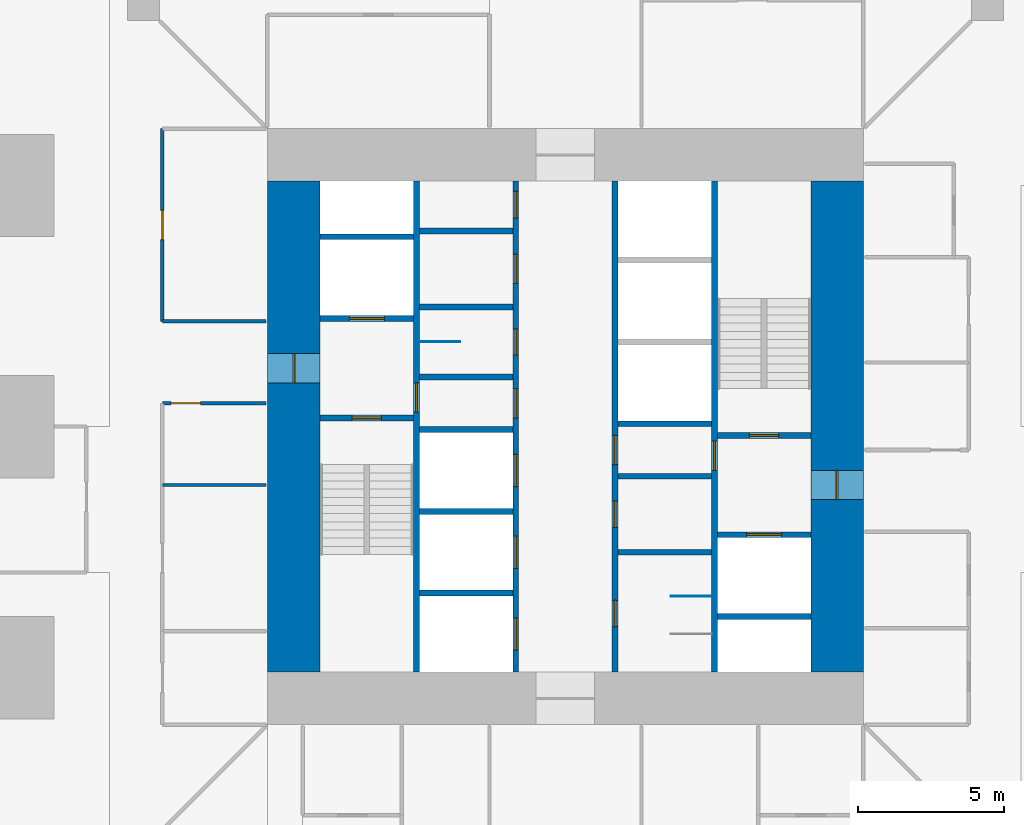
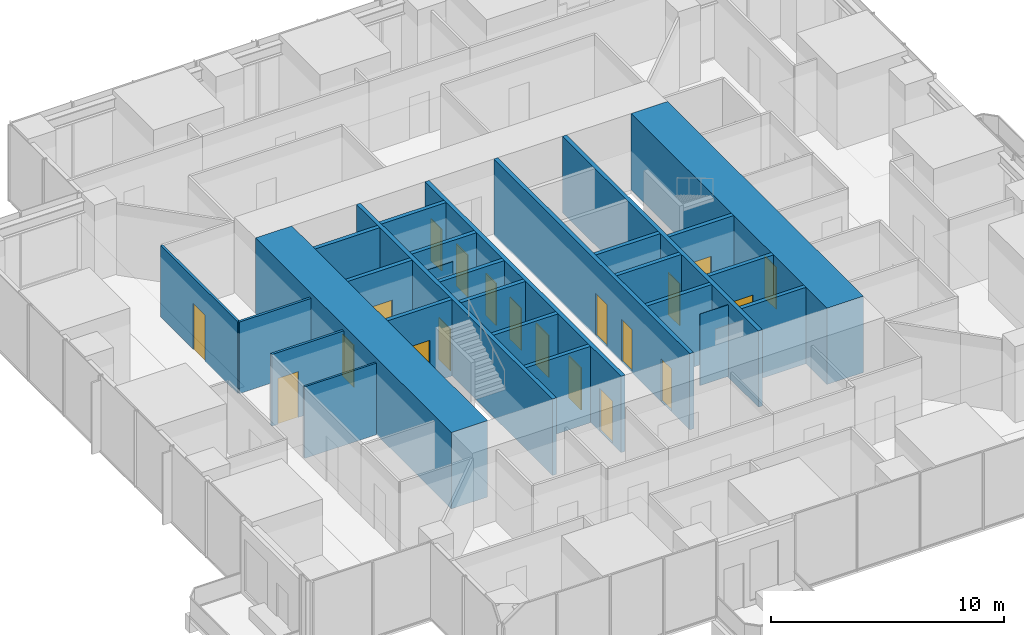
# One storey, part 12 of 18: 27 walls, 20 doors, 20 openings.
"""IFC4 building model written with IfcOpenShell, lengths in metres."""

from ifc_helpers import new_model, si_unit, direction, frame, frame_2d, origin, place, context, subcontext, project, spatial, rectangle, extrude, material, layer, layer_set, type_object, element, fill, save


model = new_model("IFC4")

# Units and contexts
model_context = context("Model", 3, precision=1e-05, world=origin(), true_north=direction((0.0, 1.0)))
body_context = subcontext(model_context, "Body", "Model", "MODEL_VIEW")
ifc_project = project(units=[si_unit("LENGTHUNIT", "METRE"), si_unit("AREAUNIT", "SQUARE_METRE"), si_unit("VOLUMEUNIT", "CUBIC_METRE"), si_unit("PLANEANGLEUNIT", "RADIAN"), si_unit("MASSUNIT", "GRAM", prefix="KILO")], contexts=[model_context])

# Site, building, storey
site_placement = place(None, origin())
site = spatial("IfcSite", under=ifc_project, at=site_placement, CompositionType="ELEMENT")
building_placement = place(site_placement, origin())
building = spatial("IfcBuilding", under=site, at=building_placement, Name="Svetlomir Tower", CompositionType="ELEMENT")
storey_placement = place(building_placement, frame((0.0, 0.0, 54.5)))
storey = spatial("IfcBuildingStorey", under=building, at=storey_placement, Name="L12", CompositionType="ELEMENT", Elevation=54.5)

# Wall, opening, door
ifc_material_1 = material(Name="Concrete C60/75", Category="concrete")
ifc_layer_1 = layer(ifc_material_1, 0.199951171875)
ifc_layer_set_1 = layer_set([ifc_layer_1], Name="Concrete C60/75")
wall_type_1 = type_object("IfcWallType", Name="CORE INNER WALL 200", PredefinedType="SHEAR", material=ifc_layer_set_1)
wall_1_placement = place(storey_placement, frame((15.89990234375, 12.60009765625, -0.050048828125), z_axis=(0.0, 0.0, 1.0), x_axis=(0.0, 1.0, 0.0)))
wall_1 = element("IfcWall", 1, at=wall_1_placement, inside=storey, type_object=wall_type_1, Name="Core inner wall 15.9 L12", PredefinedType="SHEAR", context=body_context, shape_type="SweptSolid", body=[
    extrude(rectangle(XDim=16.7998046875, YDim=0.199951171875, at=frame_2d((8.39990234375, 0.0))), origin(), (0.0, 0.0, 1.0), 4.0),
])
opening_1_placement = place(wall_1_placement, frame((8.89990234375, 0.0, 0.050048828125)))
opening_1 = element("IfcOpeningElement", 2, at=opening_1_placement, cuts=wall_1, Name="Opening DF", PredefinedType="OPENING", context=body_context, shape_type="SweptSolid", body=[
    extrude(rectangle(XDim=1.0, YDim=2.199951171875, at=frame_2d((0.5, 1.10009765625))), frame((0.0, 0.10986328125, 0.0), z_axis=(0.0, -1.0, 0.0), x_axis=(1.0, 0.0, 0.0)), (0.0, 0.0, 1.0), 0.219970703125),
])
ifc_material_2 = material(Name="Steel fire door", Category="steel")
door_type_1 = type_object("IfcDoorType", Name="DOOR DF 1000x2200", OperationType="SINGLE_SWING_LEFT", PredefinedType="DOOR", material=ifc_material_2)
door_1_placement = place(opening_1_placement, origin())
door_1 = element("IfcDoor", 3, at=door_1_placement, inside=storey, type_object=door_type_1, Name="Core corridor west door L12", OperationType="SINGLE_SWING_LEFT", OverallHeight=2.199951171875, OverallWidth=1.0, PredefinedType="DOOR", context=body_context, shape_type="SweptSolid", body=[
    extrude(rectangle(XDim=1.0, YDim=2.199951171875, at=frame_2d((0.5, 1.10009765625))), frame((0.0, 0.02490234375, 0.0), z_axis=(0.0, -1.0, 0.0), x_axis=(1.0, 0.0, 0.0)), (0.0, 0.0, 1.0), 0.050048828125),
])
fill(opening_1, door_1)

# Wall, openings, doors
wall_2_placement = place(storey_placement, frame((19.300048828125, 12.60009765625, -0.050048828125), z_axis=(0.0, 0.0, 1.0), x_axis=(0.0, 1.0, 0.0)))
wall_2 = element("IfcWall", 4, at=wall_2_placement, inside=storey, type_object=wall_type_1, Name="Core inner wall 19.3 L12", PredefinedType="SHEAR", context=body_context, shape_type="SweptSolid", body=[
    extrude(rectangle(XDim=16.7998046875, YDim=0.199951171875, at=frame_2d((8.39990234375, 0.0))), origin(), (0.0, 0.0, 1.0), 4.0),
])
opening_2_placement = place(wall_2_placement, frame((8.699951171875, 0.0, 0.050048828125)))
opening_2 = element("IfcOpeningElement", 5, at=opening_2_placement, cuts=wall_2, Name="Opening DC", PredefinedType="OPENING", context=body_context, shape_type="SweptSolid", body=[
    extrude(rectangle(XDim=1.0, YDim=2.199951171875, at=frame_2d((0.5, 1.10009765625))), frame((0.0, 0.10986328125, 0.0), z_axis=(0.0, -1.0, 0.0), x_axis=(1.0, 0.0, 0.0)), (0.0, 0.0, 1.0), 0.219970703125),
])
opening_3_placement = place(wall_2_placement, frame((10.85009765625, 0.0, 0.050048828125)))
opening_3 = element("IfcOpeningElement", 6, at=opening_3_placement, cuts=wall_2, Name="Opening DW", PredefinedType="OPENING", context=body_context, shape_type="SweptSolid", body=[
    extrude(rectangle(XDim=0.89990234375, YDim=2.199951171875, at=frame_2d((0.449951171875, 1.10009765625))), frame((0.0, 0.10986328125, 0.0), z_axis=(0.0, -1.0, 0.0), x_axis=(1.0, 0.0, 0.0)), (0.0, 0.0, 1.0), 0.219970703125),
])
opening_4_placement = place(wall_2_placement, frame((13.300048828125, 0.0, 0.050048828125)))
opening_4 = element("IfcOpeningElement", 7, at=opening_4_placement, cuts=wall_2, Name="Opening DC", PredefinedType="OPENING", context=body_context, shape_type="SweptSolid", body=[
    extrude(rectangle(XDim=1.0, YDim=2.199951171875, at=frame_2d((0.5, 1.10009765625))), frame((0.0, 0.10986328125, 0.0), z_axis=(0.0, -1.0, 0.0), x_axis=(1.0, 0.0, 0.0)), (0.0, 0.0, 1.0), 0.219970703125),
])
opening_5_placement = place(wall_2_placement, frame((15.550048828125, 0.0, 0.050048828125)))
opening_5 = element("IfcOpeningElement", 8, at=opening_5_placement, cuts=wall_2, Name="Opening DW", PredefinedType="OPENING", context=body_context, shape_type="SweptSolid", body=[
    extrude(rectangle(XDim=0.89990234375, YDim=2.199951171875, at=frame_2d((0.449951171875, 1.10009765625))), frame((0.0, 0.10986328125, 0.0), z_axis=(0.0, -1.0, 0.0), x_axis=(1.0, 0.0, 0.0)), (0.0, 0.0, 1.0), 0.219970703125),
])
opening_6_placement = place(wall_2_placement, frame((0.75, 0.0, 0.050048828125)))
opening_6 = element("IfcOpeningElement", 9, at=opening_6_placement, cuts=wall_2, Name="Opening LD", PredefinedType="OPENING", context=body_context, shape_type="SweptSolid", body=[
    extrude(rectangle(XDim=1.10009765625, YDim=2.199951171875, at=frame_2d((0.550048828125, 1.10009765625))), frame((0.0, 0.10986328125, 0.0), z_axis=(0.0, -1.0, 0.0), x_axis=(1.0, 0.0, 0.0)), (0.0, 0.0, 1.0), 0.219970703125),
])
opening_7_placement = place(wall_2_placement, frame((3.550048828125, 0.0, 0.050048828125)))
opening_7 = element("IfcOpeningElement", 10, at=opening_7_placement, cuts=wall_2, Name="Opening LD", PredefinedType="OPENING", context=body_context, shape_type="SweptSolid", body=[
    extrude(rectangle(XDim=1.10009765625, YDim=2.199951171875, at=frame_2d((0.550048828125, 1.10009765625))), frame((0.0, 0.10986328125, 0.0), z_axis=(0.0, -1.0, 0.0), x_axis=(1.0, 0.0, 0.0)), (0.0, 0.0, 1.0), 0.219970703125),
])
opening_8_placement = place(wall_2_placement, frame((6.35009765625, 0.0, 0.050048828125)))
opening_8 = element("IfcOpeningElement", 11, at=opening_8_placement, cuts=wall_2, Name="Opening LD", PredefinedType="OPENING", context=body_context, shape_type="SweptSolid", body=[
    extrude(rectangle(XDim=1.10009765625, YDim=2.199951171875, at=frame_2d((0.550048828125, 1.10009765625))), frame((0.0, 0.10986328125, 0.0), z_axis=(0.0, -1.0, 0.0), x_axis=(1.0, 0.0, 0.0)), (0.0, 0.0, 1.0), 0.219970703125),
])
ifc_material_3 = material(Name="Timber fire door", Category="wood")
door_type_2 = type_object("IfcDoorType", Name="DOOR DC 1000x2200", OperationType="SINGLE_SWING_LEFT", PredefinedType="DOOR", material=ifc_material_3)
door_2_placement = place(opening_2_placement, origin())
door_2 = element("IfcDoor", 12, at=door_2_placement, inside=storey, type_object=door_type_2, Name="Core corridor west lobby door L12", OperationType="SINGLE_SWING_LEFT", OverallHeight=2.199951171875, OverallWidth=1.0, PredefinedType="DOOR", context=body_context, shape_type="SweptSolid", body=[
    extrude(rectangle(XDim=1.0, YDim=2.199951171875, at=frame_2d((0.5, 1.10009765625))), frame((0.0, 0.02490234375, 0.0), z_axis=(0.0, -1.0, 0.0), x_axis=(1.0, 0.0, 0.0)), (0.0, 0.0, 1.0), 0.050048828125),
])
fill(opening_2, door_2)
door_3_placement = place(opening_4_placement, origin())
door_3 = element("IfcDoor", 13, at=door_3_placement, inside=storey, type_object=door_type_2, Name="Accessible WC door L12", OperationType="SINGLE_SWING_RIGHT", OverallHeight=2.199951171875, OverallWidth=1.0, PredefinedType="DOOR", context=body_context, shape_type="SweptSolid", body=[
    extrude(rectangle(XDim=1.0, YDim=2.199951171875, at=frame_2d((0.5, 1.10009765625))), frame((0.0, 0.02490234375, 0.0), z_axis=(0.0, -1.0, 0.0), x_axis=(1.0, 0.0, 0.0)), (0.0, 0.0, 1.0), 0.050048828125),
])
fill(opening_4, door_3)
ifc_material_4 = material(Name="Timber fire door", Category="wood")
door_type_3 = type_object("IfcDoorType", Name="DOOR DW 900x2200", OperationType="SINGLE_SWING_LEFT", PredefinedType="DOOR", material=ifc_material_4)
door_4_placement = place(opening_3_placement, origin())
door_4 = element("IfcDoor", 14, at=door_4_placement, inside=storey, type_object=door_type_3, Name="Female WC door L12", OperationType="SINGLE_SWING_LEFT", OverallHeight=2.199951171875, OverallWidth=0.89990234375, PredefinedType="DOOR", context=body_context, shape_type="SweptSolid", body=[
    extrude(rectangle(XDim=0.89990234375, YDim=2.199951171875, at=frame_2d((0.449951171875, 1.10009765625))), frame((0.0, 0.02490234375, 0.0), z_axis=(0.0, -1.0, 0.0), x_axis=(1.0, 0.0, 0.0)), (0.0, 0.0, 1.0), 0.050048828125),
])
fill(opening_3, door_4)
door_5_placement = place(opening_5_placement, origin())
door_5 = element("IfcDoor", 15, at=door_5_placement, inside=storey, type_object=door_type_3, Name="Cleaner's store door L12", OperationType="SINGLE_SWING_LEFT", OverallHeight=2.199951171875, OverallWidth=0.89990234375, PredefinedType="DOOR", context=body_context, shape_type="SweptSolid", body=[
    extrude(rectangle(XDim=0.89990234375, YDim=2.199951171875, at=frame_2d((0.449951171875, 1.10009765625))), frame((0.0, 0.02490234375, 0.0), z_axis=(0.0, -1.0, 0.0), x_axis=(1.0, 0.0, 0.0)), (0.0, 0.0, 1.0), 0.050048828125),
])
fill(opening_5, door_5)
ifc_material_5 = material(Name="Stainless steel landing door", Category="steel")
door_type_4 = type_object("IfcDoorType", Name="LIFT LANDING DOOR LD 1100x2200", OperationType="DOUBLE_DOOR_SLIDING", PredefinedType="DOOR", material=ifc_material_5)
door_6_placement = place(opening_6_placement, origin())
door_6 = element("IfcDoor", 16, at=door_6_placement, inside=storey, type_object=door_type_4, Name="Landing door lift LA1 L12", OperationType="DOUBLE_DOOR_SLIDING", OverallHeight=2.199951171875, OverallWidth=1.10009765625, PredefinedType="DOOR", context=body_context, shape_type="SweptSolid", body=[
    extrude(rectangle(XDim=1.10009765625, YDim=2.199951171875, at=frame_2d((0.550048828125, 1.10009765625))), frame((0.0, 0.02490234375, 0.0), z_axis=(0.0, -1.0, 0.0), x_axis=(1.0, 0.0, 0.0)), (0.0, 0.0, 1.0), 0.050048828125),
])
fill(opening_6, door_6)
door_7_placement = place(opening_7_placement, origin())
door_7 = element("IfcDoor", 17, at=door_7_placement, inside=storey, type_object=door_type_4, Name="Landing door lift LA2 L12", OperationType="DOUBLE_DOOR_SLIDING", OverallHeight=2.199951171875, OverallWidth=1.10009765625, PredefinedType="DOOR", context=body_context, shape_type="SweptSolid", body=[
    extrude(rectangle(XDim=1.10009765625, YDim=2.199951171875, at=frame_2d((0.550048828125, 1.10009765625))), frame((0.0, 0.02490234375, 0.0), z_axis=(0.0, -1.0, 0.0), x_axis=(1.0, 0.0, 0.0)), (0.0, 0.0, 1.0), 0.050048828125),
])
fill(opening_7, door_7)
door_8_placement = place(opening_8_placement, origin())
door_8 = element("IfcDoor", 18, at=door_8_placement, inside=storey, type_object=door_type_4, Name="Landing door lift LA3 L12", OperationType="DOUBLE_DOOR_SLIDING", OverallHeight=2.199951171875, OverallWidth=1.10009765625, PredefinedType="DOOR", context=body_context, shape_type="SweptSolid", body=[
    extrude(rectangle(XDim=1.10009765625, YDim=2.199951171875, at=frame_2d((0.550048828125, 1.10009765625))), frame((0.0, 0.02490234375, 0.0), z_axis=(0.0, -1.0, 0.0), x_axis=(1.0, 0.0, 0.0)), (0.0, 0.0, 1.0), 0.050048828125),
])
fill(opening_8, door_8)

wall_3_placement = place(storey_placement, frame((22.699951171875, 12.60009765625, -0.050048828125), z_axis=(0.0, 0.0, 1.0), x_axis=(0.0, 1.0, 0.0)))
wall_3 = element("IfcWall", 19, at=wall_3_placement, inside=storey, type_object=wall_type_1, Name="Core inner wall 22.7 L12", PredefinedType="SHEAR", context=body_context, shape_type="SweptSolid", body=[
    extrude(rectangle(XDim=16.7998046875, YDim=0.199951171875, at=frame_2d((8.39990234375, 0.0))), origin(), (0.0, 0.0, 1.0), 4.0),
])
opening_9_placement = place(wall_3_placement, frame((7.10009765625, 0.0, 0.050048828125)))
opening_9 = element("IfcOpeningElement", 20, at=opening_9_placement, cuts=wall_3, Name="Opening DC", PredefinedType="OPENING", context=body_context, shape_type="SweptSolid", body=[
    extrude(rectangle(XDim=1.0, YDim=2.199951171875, at=frame_2d((0.5, 1.10009765625))), frame((0.0, 0.10986328125, 0.0), z_axis=(0.0, -1.0, 0.0), x_axis=(1.0, 0.0, 0.0)), (0.0, 0.0, 1.0), 0.219970703125),
])
opening_10_placement = place(wall_3_placement, frame((1.550048828125, 0.0, 0.050048828125)))
opening_10 = element("IfcOpeningElement", 21, at=opening_10_placement, cuts=wall_3, Name="Opening DW", PredefinedType="OPENING", context=body_context, shape_type="SweptSolid", body=[
    extrude(rectangle(XDim=0.89990234375, YDim=2.199951171875, at=frame_2d((0.449951171875, 1.10009765625))), frame((0.0, 0.10986328125, 0.0), z_axis=(0.0, -1.0, 0.0), x_axis=(1.0, 0.0, 0.0)), (0.0, 0.0, 1.0), 0.219970703125),
])
opening_11_placement = place(wall_3_placement, frame((4.949951171875, 0.0, 0.050048828125)))
opening_11 = element("IfcOpeningElement", 22, at=opening_11_placement, cuts=wall_3, Name="Opening DW", PredefinedType="OPENING", context=body_context, shape_type="SweptSolid", body=[
    extrude(rectangle(XDim=0.89990234375, YDim=2.199951171875, at=frame_2d((0.449951171875, 1.10009765625))), frame((0.0, 0.10986328125, 0.0), z_axis=(0.0, -1.0, 0.0), x_axis=(1.0, 0.0, 0.0)), (0.0, 0.0, 1.0), 0.219970703125),
])
door_9_placement = place(opening_9_placement, origin())
door_9 = element("IfcDoor", 23, at=door_9_placement, inside=storey, type_object=door_type_2, Name="Core corridor east lobby door L12", OperationType="SINGLE_SWING_RIGHT", OverallHeight=2.199951171875, OverallWidth=1.0, PredefinedType="DOOR", context=body_context, shape_type="SweptSolid", body=[
    extrude(rectangle(XDim=1.0, YDim=2.199951171875, at=frame_2d((0.5, 1.10009765625))), frame((0.0, 0.02490234375, 0.0), z_axis=(0.0, -1.0, 0.0), x_axis=(1.0, 0.0, 0.0)), (0.0, 0.0, 1.0), 0.050048828125),
])
fill(opening_9, door_9)
door_10_placement = place(opening_10_placement, origin())
door_10 = element("IfcDoor", 24, at=door_10_placement, inside=storey, type_object=door_type_3, Name="Male WC door L12", OperationType="SINGLE_SWING_RIGHT", OverallHeight=2.199951171875, OverallWidth=0.89990234375, PredefinedType="DOOR", context=body_context, shape_type="SweptSolid", body=[
    extrude(rectangle(XDim=0.89990234375, YDim=2.199951171875, at=frame_2d((0.449951171875, 1.10009765625))), frame((0.0, 0.02490234375, 0.0), z_axis=(0.0, -1.0, 0.0), x_axis=(1.0, 0.0, 0.0)), (0.0, 0.0, 1.0), 0.050048828125),
])
fill(opening_10, door_10)
door_11_placement = place(opening_11_placement, origin())
door_11 = element("IfcDoor", 25, at=door_11_placement, inside=storey, type_object=door_type_3, Name="Comms room door L12", OperationType="SINGLE_SWING_LEFT", OverallHeight=2.199951171875, OverallWidth=0.89990234375, PredefinedType="DOOR", context=body_context, shape_type="SweptSolid", body=[
    extrude(rectangle(XDim=0.89990234375, YDim=2.199951171875, at=frame_2d((0.449951171875, 1.10009765625))), frame((0.0, 0.02490234375, 0.0), z_axis=(0.0, -1.0, 0.0), x_axis=(1.0, 0.0, 0.0)), (0.0, 0.0, 1.0), 0.050048828125),
])
fill(opening_11, door_11)

# Wall, opening, door
wall_4_placement = place(storey_placement, frame((26.10009765625, 12.60009765625, -0.050048828125), z_axis=(0.0, 0.0, 1.0), x_axis=(0.0, 1.0, 0.0)))
wall_4 = element("IfcWall", 26, at=wall_4_placement, inside=storey, type_object=wall_type_1, Name="Core inner wall 26.1 L12", PredefinedType="SHEAR", context=body_context, shape_type="SweptSolid", body=[
    extrude(rectangle(XDim=16.7998046875, YDim=0.199951171875, at=frame_2d((8.39990234375, 0.0))), origin(), (0.0, 0.0, 1.0), 4.0),
])
opening_12_placement = place(wall_4_placement, frame((6.89990234375, 0.0, 0.050048828125)))
opening_12 = element("IfcOpeningElement", 27, at=opening_12_placement, cuts=wall_4, Name="Opening DF", PredefinedType="OPENING", context=body_context, shape_type="SweptSolid", body=[
    extrude(rectangle(XDim=1.0, YDim=2.199951171875, at=frame_2d((0.5, 1.10009765625))), frame((0.0, 0.10986328125, 0.0), z_axis=(0.0, -1.0, 0.0), x_axis=(1.0, 0.0, 0.0)), (0.0, 0.0, 1.0), 0.219970703125),
])
door_12_placement = place(opening_12_placement, origin())
door_12 = element("IfcDoor", 28, at=door_12_placement, inside=storey, type_object=door_type_1, Name="Core corridor east door L12", OperationType="SINGLE_SWING_LEFT", OverallHeight=2.199951171875, OverallWidth=1.0, PredefinedType="DOOR", context=body_context, shape_type="SweptSolid", body=[
    extrude(rectangle(XDim=1.0, YDim=2.199951171875, at=frame_2d((0.5, 1.10009765625))), frame((0.0, 0.02490234375, 0.0), z_axis=(0.0, -1.0, 0.0), x_axis=(1.0, 0.0, 0.0)), (0.0, 0.0, 1.0), 0.050048828125),
])
fill(opening_12, door_12)

wall_5_placement = place(storey_placement, frame((12.60009765625, 21.300048828125, -0.050048828125), z_axis=(0.0, 0.0, 1.0), x_axis=(1.0, 0.0, 0.0)))
wall_5 = element("IfcWall", 29, at=wall_5_placement, inside=storey, type_object=wall_type_1, Name="Core inner wall 12.6-15.8/21.3 L12", PredefinedType="SHEAR", context=body_context, shape_type="SweptSolid", body=[
    extrude(rectangle(XDim=3.199951171875, YDim=0.199951171875, at=frame_2d((1.60009765625, 0.0))), origin(), (0.0, 0.0, 1.0), 4.0),
])
opening_13_placement = place(wall_5_placement, frame((1.10009765625, 0.0, 0.050048828125)))
opening_13 = element("IfcOpeningElement", 30, at=opening_13_placement, cuts=wall_5, Name="Opening DF", PredefinedType="OPENING", context=body_context, shape_type="SweptSolid", body=[
    extrude(rectangle(XDim=1.0, YDim=2.199951171875, at=frame_2d((0.5, 1.10009765625))), frame((0.0, 0.10986328125, 0.0), z_axis=(0.0, -1.0, 0.0), x_axis=(1.0, 0.0, 0.0)), (0.0, 0.0, 1.0), 0.219970703125),
])
door_13_placement = place(opening_13_placement, origin())
door_13 = element("IfcDoor", 31, at=door_13_placement, inside=storey, type_object=door_type_1, Name="Stair S1 door L12", OperationType="SINGLE_SWING_LEFT", OverallHeight=2.199951171875, OverallWidth=1.0, PredefinedType="DOOR", context=body_context, shape_type="SweptSolid", body=[
    extrude(rectangle(XDim=1.0, YDim=2.199951171875, at=frame_2d((0.5, 1.10009765625))), frame((0.0, 0.02490234375, 0.0), z_axis=(0.0, -1.0, 0.0), x_axis=(1.0, 0.0, 0.0)), (0.0, 0.0, 1.0), 0.050048828125),
])
fill(opening_13, door_13)

wall_6_placement = place(storey_placement, frame((12.60009765625, 24.699951171875, -0.050048828125), z_axis=(0.0, 0.0, 1.0), x_axis=(1.0, 0.0, 0.0)))
wall_6 = element("IfcWall", 32, at=wall_6_placement, inside=storey, type_object=wall_type_1, Name="Core inner wall 12.6-15.8/24.7 L12", PredefinedType="SHEAR", context=body_context, shape_type="SweptSolid", body=[
    extrude(rectangle(XDim=3.199951171875, YDim=0.199951171875, at=frame_2d((1.60009765625, 0.0))), origin(), (0.0, 0.0, 1.0), 4.0),
])
opening_14_placement = place(wall_6_placement, frame((1.0, 0.0, 0.050048828125)))
opening_14 = element("IfcOpeningElement", 33, at=opening_14_placement, cuts=wall_6, Name="Opening LD3", PredefinedType="OPENING", context=body_context, shape_type="SweptSolid", body=[
    extrude(rectangle(XDim=1.199951171875, YDim=2.199951171875, at=frame_2d((0.60009765625, 1.10009765625))), frame((0.0, 0.10986328125, 0.0), z_axis=(0.0, -1.0, 0.0), x_axis=(1.0, 0.0, 0.0)), (0.0, 0.0, 1.0), 0.219970703125),
])
ifc_material_6 = material(Name="Stainless steel fire-rated landing door", Category="steel")
door_type_5 = type_object("IfcDoorType", Name="FIREFIGHTING LIFT LANDING DOOR LD3 1200x2200", OperationType="DOUBLE_DOOR_SLIDING", PredefinedType="DOOR", material=ifc_material_6)
door_14_placement = place(opening_14_placement, origin())
door_14 = element("IfcDoor", 34, at=door_14_placement, inside=storey, type_object=door_type_5, Name="Landing door lift FL1 L12", OperationType="DOUBLE_DOOR_SLIDING", OverallHeight=2.199951171875, OverallWidth=1.199951171875, PredefinedType="DOOR", context=body_context, shape_type="SweptSolid", body=[
    extrude(rectangle(XDim=1.199951171875, YDim=2.199951171875, at=frame_2d((0.60009765625, 1.10009765625))), frame((0.0, 0.02490234375, 0.0), z_axis=(0.0, -1.0, 0.0), x_axis=(1.0, 0.0, 0.0)), (0.0, 0.0, 1.0), 0.050048828125),
])
fill(opening_14, door_14)

# Walls
for number, where, z_axis, x_axis, name in (
    (35, (12.60009765625, 27.5, -0.050048828125), (0.0, 0.0, 1.0), (1.0, 0.0, 0.0), "Core inner wall 12.6-15.8/27.5 L12"),
    (36, (16.0, 15.300048828125, -0.050048828125), (0.0, 0.0, 1.0), (1.0, 0.0, 0.0), "Core inner wall 16-19.2/15.3 L12"),
    (37, (16.0, 18.10009765625, -0.050048828125), (0.0, 0.0, 1.0), (1.0, 0.0, 0.0), "Core inner wall 16-19.2/18.1 L12"),
    (38, (16.0, 20.89990234375, -0.050048828125), (0.0, 0.0, 1.0), (1.0, 0.0, 0.0), "Core inner wall 16-19.2/20.9 L12"),
    (39, (16.0, 22.699951171875, -0.050048828125), (0.0, 0.0, 1.0), (1.0, 0.0, 0.0), "Core inner wall 16-19.2/22.7 L12"),
    (40, (16.0, 25.10009765625, -0.050048828125), (0.0, 0.0, 1.0), (1.0, 0.0, 0.0), "Core inner wall 16-19.2/25.1 L12"),
    (41, (16.0, 27.699951171875, -0.050048828125), (0.0, 0.0, 1.0), (1.0, 0.0, 0.0), "Core inner wall 16-19.2/27.7 L12"),
    (42, (22.800048828125, 16.699951171875, -0.050048828125), (0.0, 0.0, 1.0), (1.0, 0.0, 0.0), "Core inner wall 22.8-26/16.7 L12"),
    (43, (22.800048828125, 19.300048828125, -0.050048828125), (0.0, 0.0, 1.0), (1.0, 0.0, 0.0), "Core inner wall 22.8-26/19.3 L12"),
    (44, (22.800048828125, 21.10009765625, -0.050048828125), (0.0, 0.0, 1.0), (1.0, 0.0, 0.0), "Core inner wall 22.8-26/21.1 L12"),
    (45, (26.199951171875, 14.5, -0.050048828125), (0.0, 0.0, 1.0), (1.0, 0.0, 0.0), "Core inner wall 26.2-29.4/14.5 L12"),
):
    element("IfcWall", number, at=place(storey_placement, frame(where, z_axis=z_axis, x_axis=x_axis)), inside=storey, type_object=wall_type_1, Name=name, PredefinedType="SHEAR", context=body_context, shape_type="SweptSolid", body=[
        extrude(rectangle(XDim=3.199951171875, YDim=0.199951171875, at=frame_2d((1.60009765625, 0.0))), origin(), (0.0, 0.0, 1.0), 4.0),
    ])

# Wall, opening, door
wall_7_placement = place(storey_placement, frame((26.199951171875, 17.300048828125, -0.050048828125), z_axis=(0.0, 0.0, 1.0), x_axis=(1.0, 0.0, 0.0)))
wall_7 = element("IfcWall", 46, at=wall_7_placement, inside=storey, type_object=wall_type_1, Name="Core inner wall 26.2-29.4/17.3 L12", PredefinedType="SHEAR", context=body_context, shape_type="SweptSolid", body=[
    extrude(rectangle(XDim=3.199951171875, YDim=0.199951171875, at=frame_2d((1.60009765625, 0.0))), origin(), (0.0, 0.0, 1.0), 4.0),
])
opening_15_placement = place(wall_7_placement, frame((1.0, 0.0, 0.050048828125)))
opening_15 = element("IfcOpeningElement", 47, at=opening_15_placement, cuts=wall_7, Name="Opening LD3", PredefinedType="OPENING", context=body_context, shape_type="SweptSolid", body=[
    extrude(rectangle(XDim=1.199951171875, YDim=2.199951171875, at=frame_2d((0.60009765625, 1.10009765625))), frame((0.0, 0.10986328125, 0.0), z_axis=(0.0, -1.0, 0.0), x_axis=(1.0, 0.0, 0.0)), (0.0, 0.0, 1.0), 0.219970703125),
])
door_15_placement = place(opening_15_placement, origin())
door_15 = element("IfcDoor", 48, at=door_15_placement, inside=storey, type_object=door_type_5, Name="Landing door lift FL2 L12", OperationType="DOUBLE_DOOR_SLIDING", OverallHeight=2.199951171875, OverallWidth=1.199951171875, PredefinedType="DOOR", context=body_context, shape_type="SweptSolid", body=[
    extrude(rectangle(XDim=1.199951171875, YDim=2.199951171875, at=frame_2d((0.60009765625, 1.10009765625))), frame((0.0, 0.02490234375, 0.0), z_axis=(0.0, -1.0, 0.0), x_axis=(1.0, 0.0, 0.0)), (0.0, 0.0, 1.0), 0.050048828125),
])
fill(opening_15, door_15)

wall_8_placement = place(storey_placement, frame((26.199951171875, 20.699951171875, -0.050048828125), z_axis=(0.0, 0.0, 1.0), x_axis=(1.0, 0.0, 0.0)))
wall_8 = element("IfcWall", 49, at=wall_8_placement, inside=storey, type_object=wall_type_1, Name="Core inner wall 26.2-29.4/20.7 L12", PredefinedType="SHEAR", context=body_context, shape_type="SweptSolid", body=[
    extrude(rectangle(XDim=3.199951171875, YDim=0.199951171875, at=frame_2d((1.60009765625, 0.0))), origin(), (0.0, 0.0, 1.0), 4.0),
])
opening_16_placement = place(wall_8_placement, frame((1.10009765625, 0.0, 0.050048828125)))
opening_16 = element("IfcOpeningElement", 50, at=opening_16_placement, cuts=wall_8, Name="Opening DF", PredefinedType="OPENING", context=body_context, shape_type="SweptSolid", body=[
    extrude(rectangle(XDim=1.0, YDim=2.199951171875, at=frame_2d((0.5, 1.10009765625))), frame((0.0, 0.10986328125, 0.0), z_axis=(0.0, -1.0, 0.0), x_axis=(1.0, 0.0, 0.0)), (0.0, 0.0, 1.0), 0.219970703125),
])
door_16_placement = place(opening_16_placement, origin())
door_16 = element("IfcDoor", 51, at=door_16_placement, inside=storey, type_object=door_type_1, Name="Stair S2 door L12", OperationType="SINGLE_SWING_RIGHT", OverallHeight=2.199951171875, OverallWidth=1.0, PredefinedType="DOOR", context=body_context, shape_type="SweptSolid", body=[
    extrude(rectangle(XDim=1.0, YDim=2.199951171875, at=frame_2d((0.5, 1.10009765625))), frame((0.0, 0.02490234375, 0.0), z_axis=(0.0, -1.0, 0.0), x_axis=(1.0, 0.0, 0.0)), (0.0, 0.0, 1.0), 0.050048828125),
])
fill(opening_16, door_16)

ifc_material_7 = material(Name="Concrete C60/75", Category="concrete")
ifc_layer_2 = layer(ifc_material_7, 1.800048828125)
ifc_layer_set_2 = layer_set([ifc_layer_2], Name="Concrete C60/75")
wall_type_2 = type_object("IfcWallType", Name="CORE WALL 1800", PredefinedType="SHEAR", material=ifc_layer_set_2)
wall_9_placement = place(storey_placement, frame((11.699951171875, 12.60009765625, -0.050048828125), z_axis=(0.0, 0.0, 1.0), x_axis=(0.0, 1.0, 0.0)))
wall_9 = element("IfcWall", 52, at=wall_9_placement, inside=storey, type_object=wall_type_2, Name="Core wall west L12", PredefinedType="SHEAR", context=body_context, shape_type="SweptSolid", body=[
    extrude(rectangle(XDim=16.7998046875, YDim=1.800048828125, at=frame_2d((8.39990234375, 0.0))), origin(), (0.0, 0.0, 1.0), 4.0),
])
opening_17_placement = place(wall_9_placement, frame((9.89990234375, 0.0, 0.050048828125)))
opening_17 = element("IfcOpeningElement", 53, at=opening_17_placement, cuts=wall_9, Name="Opening DF", PredefinedType="OPENING", context=body_context, shape_type="SweptSolid", body=[
    extrude(rectangle(XDim=1.0, YDim=2.199951171875, at=frame_2d((0.5, 1.10009765625))), frame((0.0, 0.91015625, 0.0), z_axis=(0.0, -1.0, 0.0), x_axis=(1.0, 0.0, 0.0)), (0.0, 0.0, 1.0), 1.820068359375),
])
door_17_placement = place(opening_17_placement, origin())
door_17 = element("IfcDoor", 54, at=door_17_placement, inside=storey, type_object=door_type_1, Name="Firefighting lobby west door L12", OperationType="SINGLE_SWING_LEFT", OverallHeight=2.199951171875, OverallWidth=1.0, PredefinedType="DOOR", context=body_context, shape_type="SweptSolid", body=[
    extrude(rectangle(XDim=1.0, YDim=2.199951171875, at=frame_2d((0.5, 1.10009765625))), frame((0.0, 0.02490234375, 0.0), z_axis=(0.0, -1.0, 0.0), x_axis=(1.0, 0.0, 0.0)), (0.0, 0.0, 1.0), 0.050048828125),
])
fill(opening_17, door_17)

wall_10_placement = place(storey_placement, frame((30.300048828125, 12.60009765625, -0.050048828125), z_axis=(0.0, 0.0, 1.0), x_axis=(0.0, 1.0, 0.0)))
wall_10 = element("IfcWall", 55, at=wall_10_placement, inside=storey, type_object=wall_type_2, Name="Core wall east L12", PredefinedType="SHEAR", context=body_context, shape_type="SweptSolid", body=[
    extrude(rectangle(XDim=16.7998046875, YDim=1.800048828125, at=frame_2d((8.39990234375, 0.0))), origin(), (0.0, 0.0, 1.0), 4.0),
])
opening_18_placement = place(wall_10_placement, frame((5.89990234375, 0.0, 0.050048828125)))
opening_18 = element("IfcOpeningElement", 56, at=opening_18_placement, cuts=wall_10, Name="Opening DF", PredefinedType="OPENING", context=body_context, shape_type="SweptSolid", body=[
    extrude(rectangle(XDim=1.0, YDim=2.199951171875, at=frame_2d((0.5, 1.10009765625))), frame((0.0, 0.91015625, 0.0), z_axis=(0.0, -1.0, 0.0), x_axis=(1.0, 0.0, 0.0)), (0.0, 0.0, 1.0), 1.820068359375),
])
door_18_placement = place(opening_18_placement, origin())
door_18 = element("IfcDoor", 57, at=door_18_placement, inside=storey, type_object=door_type_1, Name="Firefighting lobby east door L12", OperationType="SINGLE_SWING_RIGHT", OverallHeight=2.199951171875, OverallWidth=1.0, PredefinedType="DOOR", context=body_context, shape_type="SweptSolid", body=[
    extrude(rectangle(XDim=1.0, YDim=2.199951171875, at=frame_2d((0.5, 1.10009765625))), frame((0.0, 0.02490234375, 0.0), z_axis=(0.0, -1.0, 0.0), x_axis=(1.0, 0.0, 0.0)), (0.0, 0.0, 1.0), 0.050048828125),
])
fill(opening_18, door_18)

# Wall
ifc_material_8 = material(Name="Framed laminated glass partition", Category="glass")
ifc_layer_3 = layer(ifc_material_8, 0.10009765625)
ifc_layer_set_3 = layer_set([ifc_layer_3], Name="Framed laminated glass partition")
wall_type_3 = type_object("IfcWallType", Name="GLAZED PARTITION 100", PredefinedType="PARTITIONING", material=ifc_layer_set_3)
wall_11_placement = place(storey_placement, frame((7.199951171875, 19.0, 0.0), z_axis=(0.0, 0.0, 1.0), x_axis=(1.0, 0.0, 0.0)))
element("IfcWall", 58, at=wall_11_placement, inside=storey, type_object=wall_type_3, Name="Glazed partition L12", PredefinedType="PARTITIONING", context=body_context, shape_type="SweptSolid", body=[
    extrude(rectangle(XDim=3.550048828125, YDim=0.10009765625, at=frame_2d((1.77490234375, 0.0))), origin(), (0.0, 0.0, 1.0), 3.75),
])

# Wall, opening, door
ifc_material_9 = material(Name="Gypsum board on steel studs", Category="steel")
ifc_layer_4 = layer(ifc_material_9, 0.1201171875)
ifc_layer_set_4 = layer_set([ifc_layer_4], Name="Gypsum board on steel studs")
wall_type_4 = type_object("IfcWallType", Name="PARTITION 120", PredefinedType="PARTITIONING", material=ifc_layer_set_4)
wall_12_placement = place(storey_placement, frame((7.199951171875, 21.800048828125, 0.0), z_axis=(0.0, 0.0, 1.0), x_axis=(1.0, 0.0, 0.0)))
wall_12 = element("IfcWall", 59, at=wall_12_placement, inside=storey, type_object=wall_type_4, Name="Partition L12", PredefinedType="PARTITIONING", context=body_context, shape_type="SweptSolid", body=[
    extrude(rectangle(XDim=3.550048828125, YDim=0.1201171875, at=frame_2d((1.77490234375, 0.0))), origin(), (0.0, 0.0, 1.0), 3.75),
])
opening_19_placement = place(wall_12_placement, frame((0.300048828125, 0.0, 0.0)))
opening_19 = element("IfcOpeningElement", 60, at=opening_19_placement, cuts=wall_12, Name="Opening DG", PredefinedType="OPENING", context=body_context, shape_type="SweptSolid", body=[
    extrude(rectangle(XDim=1.0, YDim=2.39990234375, at=frame_2d((0.5, 1.199951171875))), frame((0.0, 0.070068359375, 0.0), z_axis=(0.0, -1.0, 0.0), x_axis=(1.0, 0.0, 0.0)), (0.0, 0.0, 1.0), 0.14013671875),
])
ifc_material_10 = material(Name="Framed laminated glass door", Category="glass")
door_type_6 = type_object("IfcDoorType", Name="GLAZED DOOR DG 1000x2400", OperationType="SINGLE_SWING_LEFT", PredefinedType="DOOR", material=ifc_material_10)
door_19_placement = place(opening_19_placement, origin())
door_19 = element("IfcDoor", 61, at=door_19_placement, inside=storey, type_object=door_type_6, Name="Ring corridor 2 door 3 L12", OperationType="SINGLE_SWING_LEFT", OverallHeight=2.39990234375, OverallWidth=1.0, PredefinedType="DOOR", context=body_context, shape_type="SweptSolid", body=[
    extrude(rectangle(XDim=1.0, YDim=2.39990234375, at=frame_2d((0.5, 1.199951171875))), frame((0.0, 0.02490234375, 0.0), z_axis=(0.0, -1.0, 0.0), x_axis=(1.0, 0.0, 0.0)), (0.0, 0.0, 1.0), 0.050048828125),
])
fill(opening_19, door_19)

wall_13_placement = place(storey_placement, frame((7.199951171875, 24.60009765625, 0.0), z_axis=(0.0, 0.0, 1.0), x_axis=(0.0, 1.0, 0.0)))
wall_13 = element("IfcWall", 62, at=wall_13_placement, inside=storey, type_object=wall_type_4, Name="Partition L12", PredefinedType="PARTITIONING", context=body_context, shape_type="SweptSolid", body=[
    extrude(rectangle(XDim=6.599853515625, YDim=0.1201171875, at=frame_2d((3.2998046875, 0.0))), origin(), (0.0, 0.0, 1.0), 3.75),
])
opening_20_placement = place(wall_13_placement, frame((2.800048828125, 0.0, 0.0)))
opening_20 = element("IfcOpeningElement", 63, at=opening_20_placement, cuts=wall_13, Name="Opening DG", PredefinedType="OPENING", context=body_context, shape_type="SweptSolid", body=[
    extrude(rectangle(XDim=1.0, YDim=2.39990234375, at=frame_2d((0.5, 1.199951171875))), frame((0.0, 0.070068359375, 0.0), z_axis=(0.0, -1.0, 0.0), x_axis=(1.0, 0.0, 0.0)), (0.0, 0.0, 1.0), 0.14013671875),
])
door_20_placement = place(opening_20_placement, origin())
door_20 = element("IfcDoor", 64, at=door_20_placement, inside=storey, type_object=door_type_6, Name="Threat intelligence room, 10 seats door L12", OperationType="SINGLE_SWING_LEFT", OverallHeight=2.39990234375, OverallWidth=1.0, PredefinedType="DOOR", context=body_context, shape_type="SweptSolid", body=[
    extrude(rectangle(XDim=1.0, YDim=2.39990234375, at=frame_2d((0.5, 1.199951171875))), frame((0.0, 0.02490234375, 0.0), z_axis=(0.0, -1.0, 0.0), x_axis=(1.0, 0.0, 0.0)), (0.0, 0.0, 1.0), 0.050048828125),
])
fill(opening_20, door_20)

# Walls
wall_14_placement = place(storey_placement, frame((7.199951171875, 24.60009765625, 0.0), z_axis=(0.0, 0.0, 1.0), x_axis=(1.0, 0.0, 0.0)))
element("IfcWall", 65, at=wall_14_placement, inside=storey, type_object=wall_type_4, Name="Partition L12", PredefinedType="PARTITIONING", context=body_context, shape_type="SweptSolid", body=[
    extrude(rectangle(XDim=3.550048828125, YDim=0.1201171875, at=frame_2d((1.77490234375, 0.0))), origin(), (0.0, 0.0, 1.0), 3.75),
])
ifc_material_11 = material(Name="Compact laminate panel", Category="plastic")
ifc_layer_5 = layer(ifc_material_11, 0.030029296875)
ifc_layer_set_5 = layer_set([ifc_layer_5], Name="Compact laminate panel")
wall_type_5 = type_object("IfcWallType", Name="WC CUBICLE PARTITION 30", PredefinedType="PARTITIONING", material=ifc_layer_set_5)
for number, where, z_axis, x_axis, name in (
    (66, (24.60009765625, 15.199951171875, 0.0), (0.0, 0.0, 1.0), (1.0, 0.0, 0.0), "WC cubicle partition L12"),
    (67, (16.0, 23.89990234375, 0.0), (0.0, 0.0, 1.0), (1.0, 0.0, 0.0), "WC cubicle partition L12"),
):
    element("IfcWall", number, at=place(storey_placement, frame(where, z_axis=z_axis, x_axis=x_axis)), inside=storey, type_object=wall_type_5, Name=name, PredefinedType="PARTITIONING", context=body_context, shape_type="SweptSolid", body=[
        extrude(rectangle(XDim=1.39990234375, YDim=0.030029296875, at=frame_2d((0.699951171875, 0.0))), origin(), (0.0, 0.0, 1.0), 3.75),
    ])

save(model, "model.ifc")
